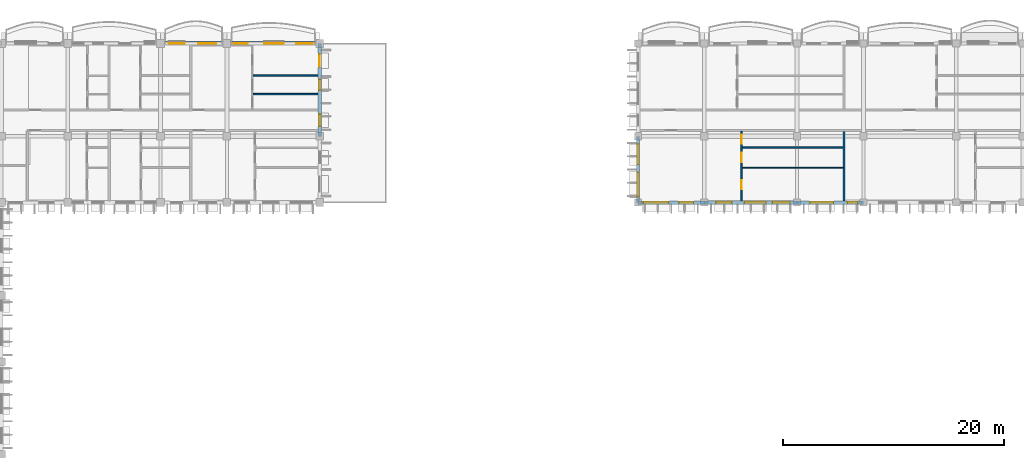
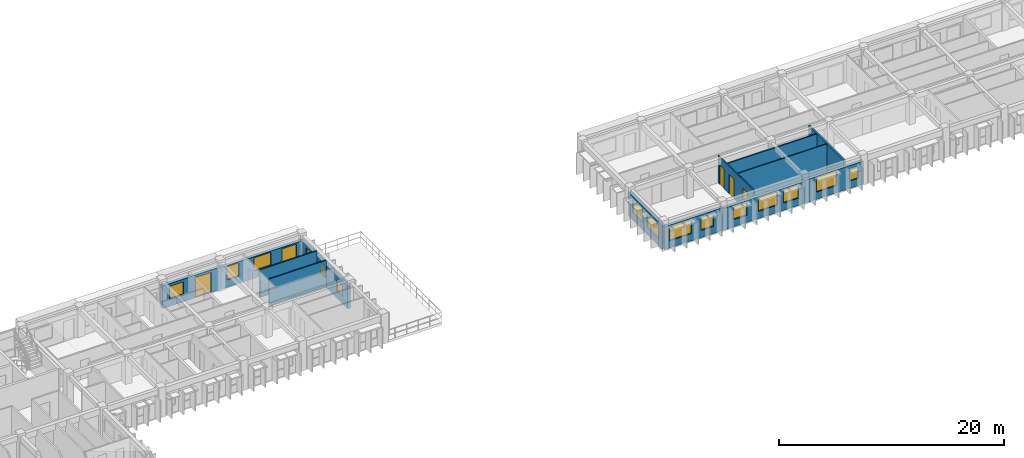
# One storey, part 24 of 66: 14 windows, 13 walls, 6 doors, 20 openings.
"""IFC4 building model written with IfcOpenShell, lengths in metres."""

from ifc_helpers import new_model, si_unit, direction, frame, frame_2d, origin, place, context, subcontext, project, spatial, rectangle, extrude, material, layer, layer_set, type_object, element, fill, save


model = new_model("IFC4")

# Units and contexts
model_context = context("Model", 3, precision=1e-05, world=origin(), true_north=direction((0.0, 1.0)))
body_context = subcontext(model_context, "Body", "Model", "MODEL_VIEW")
ifc_project = project(units=[si_unit("LENGTHUNIT", "METRE"), si_unit("AREAUNIT", "SQUARE_METRE"), si_unit("VOLUMEUNIT", "CUBIC_METRE"), si_unit("PLANEANGLEUNIT", "RADIAN"), si_unit("MASSUNIT", "GRAM", prefix="KILO"), si_unit("THERMODYNAMICTEMPERATUREUNIT", "KELVIN")], contexts=[model_context])

# Site, building, storey
site_placement = place(None, origin())
site = spatial("IfcSite", under=ifc_project, at=site_placement, CompositionType="ELEMENT")
building_placement = place(site_placement, origin())
building = spatial("IfcBuilding", under=site, at=building_placement, Name="Thalorik Housing Commons", CompositionType="ELEMENT")
storey_placement = place(building_placement, frame((0.0, 0.0, 21.300048828125)))
storey = spatial("IfcBuildingStorey", under=building, at=storey_placement, Name="L06", CompositionType="ELEMENT", Elevation=21.300048828125)

# Wall, openings, windows
ifc_material_1 = material(Name="White precast concrete C40/50", Category="concrete")
ifc_layer_1 = layer(ifc_material_1, 0.304931640625, Name="White precast concrete C40/50", Category="concrete")
ifc_layer_set_1 = layer_set([ifc_layer_1], Name="White precast concrete C40/50")
wall_type_1 = type_object("IfcWallType", Name="ARC-WAL-EXT-305", PredefinedType="STANDARD", material=ifc_layer_set_1)
wall_1_placement = place(storey_placement, frame((80.39990234375, 115.199951171875, 0.0), z_axis=(0.0, 0.0, 1.0), x_axis=(0.0, -1.0, 0.0)))
wall_1 = element("IfcWall", 1, at=wall_1_placement, inside=storey, type_object=wall_type_1, Name="L06 Exterior Wall WAL-EXT-L06-B-0613", PredefinedType="STANDARD", context=body_context, shape_type="SweptSolid", body=[
    extrude(rectangle(XDim=6.0, YDim=0.304931640625, at=frame_2d((3.0, 0.0))), origin(), (0.0, 0.0, 1.0), 2.574951171875),
])
opening_1_placement = place(wall_1_placement, frame((0.719970703125, 0.0, 0.780029296875)))
opening_1 = element("IfcOpeningElement", 2, at=opening_1_placement, cuts=wall_1, Name="Opening W-58", PredefinedType="OPENING", context=body_context, shape_type="SweptSolid", body=[
    extrude(rectangle(XDim=1.820068359375, YDim=1.4599609375, at=frame_2d((0.91015625, 0.72998046875))), frame((0.0, 0.16259765625, 0.0), z_axis=(0.0, -1.0, 0.0), x_axis=(1.0, 0.0, 0.0)), (0.0, 0.0, 1.0), 0.324951171875),
])
opening_2_placement = place(wall_1_placement, frame((3.280029296875, 0.0, 0.780029296875)))
opening_2 = element("IfcOpeningElement", 3, at=opening_2_placement, cuts=wall_1, Name="Opening W-65", PredefinedType="OPENING", context=body_context, shape_type="SweptSolid", body=[
    extrude(rectangle(XDim=2.179931640625, YDim=1.47998046875, at=frame_2d((1.08984375, 0.739990234375))), frame((0.0, 0.16259765625, 0.0), z_axis=(0.0, -1.0, 0.0), x_axis=(1.0, 0.0, 0.0)), (0.0, 0.0, 1.0), 0.324951171875),
])
ifc_material_2 = material(Name="Anodised aluminium and solar-control low-E glass", Category="aluminium")
window_type_1 = type_object("IfcWindowType", Name="ARC-WIN-58", PartitioningType="DOUBLE_PANEL_VERTICAL", PredefinedType="WINDOW", material=ifc_material_2)
window_1_placement = place(opening_1_placement, origin())
window_1 = element("IfcWindow", 4, at=window_1_placement, inside=storey, type_object=window_type_1, Name="L06 Facade Window 1111", OverallHeight=1.4599609375, OverallWidth=1.820068359375, PartitioningType="DOUBLE_PANEL_VERTICAL", PredefinedType="WINDOW", context=body_context, shape_type="SweptSolid", body=[
    extrude(rectangle(XDim=1.820068359375, YDim=1.4599609375, at=frame_2d((0.91015625, 0.72998046875))), frame((0.0, 0.030029296875, 0.0), z_axis=(0.0, -1.0, 0.0), x_axis=(1.0, 0.0, 0.0)), (0.0, 0.0, 1.0), 0.06005859375),
])
fill(opening_1, window_1)
window_type_2 = type_object("IfcWindowType", Name="ARC-WIN-65", PartitioningType="DOUBLE_PANEL_VERTICAL", PredefinedType="WINDOW", material=ifc_material_2)
window_2_placement = place(opening_2_placement, origin())
window_2 = element("IfcWindow", 5, at=window_2_placement, inside=storey, type_object=window_type_2, Name="L06 Facade Window 1112", OverallHeight=1.47998046875, OverallWidth=2.179931640625, PartitioningType="DOUBLE_PANEL_VERTICAL", PredefinedType="WINDOW", context=body_context, shape_type="SweptSolid", body=[
    extrude(rectangle(XDim=2.179931640625, YDim=1.47998046875, at=frame_2d((1.08984375, 0.739990234375))), frame((0.0, 0.030029296875, 0.0), z_axis=(0.0, -1.0, 0.0), x_axis=(1.0, 0.0, 0.0)), (0.0, 0.0, 1.0), 0.06005859375),
])
fill(opening_2, window_2)

wall_2_placement = place(storey_placement, frame((80.39990234375, 109.199951171875, 0.0), z_axis=(0.0, 0.0, 1.0), x_axis=(1.0, 0.0, 0.0)))
wall_2 = element("IfcWall", 6, at=wall_2_placement, inside=storey, type_object=wall_type_1, Name="L06 Exterior Wall WAL-EXT-L06-B-0614", PredefinedType="STANDARD", context=body_context, shape_type="SweptSolid", body=[
    extrude(rectangle(XDim=6.0, YDim=0.304931640625, at=frame_2d((3.0, 0.0))), origin(), (0.0, 0.0, 1.0), 2.474853515625),
])
opening_3_placement = place(wall_2_placement, frame((0.489990234375, 0.0, 0.780029296875)))
opening_3 = element("IfcOpeningElement", 7, at=opening_3_placement, cuts=wall_2, Name="Opening W-67", PredefinedType="OPENING", context=body_context, shape_type="SweptSolid", body=[
    extrude(rectangle(XDim=2.280029296875, YDim=1.4599609375, at=frame_2d((1.14013671875, 0.72998046875))), frame((0.0, 0.16259765625, 0.0), z_axis=(0.0, -1.0, 0.0), x_axis=(1.0, 0.0, 0.0)), (0.0, 0.0, 1.0), 0.324951171875),
])
opening_4_placement = place(wall_2_placement, frame((3.719970703125, 0.0, 0.780029296875)))
opening_4 = element("IfcOpeningElement", 8, at=opening_4_placement, cuts=wall_2, Name="Opening W-06", PredefinedType="OPENING", context=body_context, shape_type="SweptSolid", body=[
    extrude(rectangle(XDim=1.300048828125, YDim=1.39990234375, at=frame_2d((0.64990234375, 0.699951171875))), frame((0.0, 0.16259765625, 0.0), z_axis=(0.0, -1.0, 0.0), x_axis=(1.0, 0.0, 0.0)), (0.0, 0.0, 1.0), 0.324951171875),
])
window_type_3 = type_object("IfcWindowType", Name="ARC-WIN-06", PartitioningType="SINGLE_PANEL", PredefinedType="WINDOW", material=ifc_material_2)
window_3_placement = place(opening_4_placement, origin())
window_3 = element("IfcWindow", 9, at=window_3_placement, inside=storey, type_object=window_type_3, Name="L06 Facade Window 1114", OverallHeight=1.39990234375, OverallWidth=1.300048828125, PartitioningType="SINGLE_PANEL", PredefinedType="WINDOW", context=body_context, shape_type="SweptSolid", body=[
    extrude(rectangle(XDim=1.300048828125, YDim=1.39990234375, at=frame_2d((0.64990234375, 0.699951171875))), frame((0.0, 0.030029296875, 0.0), z_axis=(0.0, -1.0, 0.0), x_axis=(1.0, 0.0, 0.0)), (0.0, 0.0, 1.0), 0.06005859375),
])
fill(opening_4, window_3)
window_type_4 = type_object("IfcWindowType", Name="ARC-WIN-67", PartitioningType="DOUBLE_PANEL_VERTICAL", PredefinedType="WINDOW", material=ifc_material_2)
window_4_placement = place(opening_3_placement, origin())
window_4 = element("IfcWindow", 10, at=window_4_placement, inside=storey, type_object=window_type_4, Name="L06 Facade Window 1113", OverallHeight=1.4599609375, OverallWidth=2.280029296875, PartitioningType="DOUBLE_PANEL_VERTICAL", PredefinedType="WINDOW", context=body_context, shape_type="SweptSolid", body=[
    extrude(rectangle(XDim=2.280029296875, YDim=1.4599609375, at=frame_2d((1.14013671875, 0.72998046875))), frame((0.0, 0.030029296875, 0.0), z_axis=(0.0, -1.0, 0.0), x_axis=(1.0, 0.0, 0.0)), (0.0, 0.0, 1.0), 0.06005859375),
])
fill(opening_3, window_4)

wall_3_placement = place(storey_placement, frame((86.39990234375, 109.199951171875, 0.0), z_axis=(0.0, 0.0, 1.0), x_axis=(1.0, 0.0, 0.0)))
wall_3 = element("IfcWall", 11, at=wall_3_placement, inside=storey, type_object=wall_type_1, Name="L06 Exterior Wall WAL-EXT-L06-B-0615", PredefinedType="STANDARD", context=body_context, shape_type="SweptSolid", body=[
    extrude(rectangle(XDim=8.400146484375, YDim=0.304931640625, at=frame_2d((4.2001953125, 0.0))), origin(), (0.0, 0.0, 1.0), 2.375),
])
opening_5_placement = place(wall_3_placement, frame((1.0625, 0.0, 0.780029296875)))
opening_5 = element("IfcOpeningElement", 12, at=opening_5_placement, cuts=wall_3, Name="Opening W-50", PredefinedType="OPENING", context=body_context, shape_type="SweptSolid", body=[
    extrude(rectangle(XDim=1.419921875, YDim=1.3798828125, at=frame_2d((0.7099609375, 0.68994140625))), frame((0.0, 0.16259765625, 0.0), z_axis=(0.0, -1.0, 0.0), x_axis=(1.0, 0.0, 0.0)), (0.0, 0.0, 1.0), 0.324951171875),
])
opening_6_placement = place(wall_3_placement, frame((3.643798828125, 0.0, 0.780029296875)))
opening_6 = element("IfcOpeningElement", 13, at=opening_6_placement, cuts=wall_3, Name="Opening W-60", PredefinedType="OPENING", context=body_context, shape_type="SweptSolid", body=[
    extrude(rectangle(XDim=1.919921875, YDim=1.43994140625, at=frame_2d((0.9599609375, 0.719970703125))), frame((0.0, 0.16259765625, 0.0), z_axis=(0.0, -1.0, 0.0), x_axis=(1.0, 0.0, 0.0)), (0.0, 0.0, 1.0), 0.324951171875),
])
opening_7_placement = place(wall_3_placement, frame((6.186279296875, 0.0, 0.780029296875)))
opening_7 = element("IfcOpeningElement", 14, at=opening_7_placement, cuts=wall_3, Name="Opening W-12", PredefinedType="OPENING", context=body_context, shape_type="SweptSolid", body=[
    extrude(rectangle(XDim=1.550048828125, YDim=1.39990234375, at=frame_2d((0.77490234375, 0.699951171875))), frame((0.0, 0.16259765625, 0.0), z_axis=(0.0, -1.0, 0.0), x_axis=(1.0, 0.0, 0.0)), (0.0, 0.0, 1.0), 0.324951171875),
])
window_type_5 = type_object("IfcWindowType", Name="ARC-WIN-12", PartitioningType="SINGLE_PANEL", PredefinedType="WINDOW", material=ifc_material_2)
window_5_placement = place(opening_7_placement, origin())
window_5 = element("IfcWindow", 15, at=window_5_placement, inside=storey, type_object=window_type_5, Name="L06 Facade Window 1117", OverallHeight=1.39990234375, OverallWidth=1.550048828125, PartitioningType="SINGLE_PANEL", PredefinedType="WINDOW", context=body_context, shape_type="SweptSolid", body=[
    extrude(rectangle(XDim=1.550048828125, YDim=1.39990234375, at=frame_2d((0.77490234375, 0.699951171875))), frame((0.0, 0.030029296875, 0.0), z_axis=(0.0, -1.0, 0.0), x_axis=(1.0, 0.0, 0.0)), (0.0, 0.0, 1.0), 0.06005859375),
])
fill(opening_7, window_5)
window_type_6 = type_object("IfcWindowType", Name="ARC-WIN-50", PartitioningType="SINGLE_PANEL", PredefinedType="WINDOW", material=ifc_material_2)
window_6_placement = place(opening_5_placement, origin())
window_6 = element("IfcWindow", 16, at=window_6_placement, inside=storey, type_object=window_type_6, Name="L06 Facade Window 1115", OverallHeight=1.3798828125, OverallWidth=1.419921875, PartitioningType="SINGLE_PANEL", PredefinedType="WINDOW", context=body_context, shape_type="SweptSolid", body=[
    extrude(rectangle(XDim=1.419921875, YDim=1.3798828125, at=frame_2d((0.7099609375, 0.68994140625))), frame((0.0, 0.030029296875, 0.0), z_axis=(0.0, -1.0, 0.0), x_axis=(1.0, 0.0, 0.0)), (0.0, 0.0, 1.0), 0.06005859375),
])
fill(opening_5, window_6)
window_type_7 = type_object("IfcWindowType", Name="ARC-WIN-60", PartitioningType="DOUBLE_PANEL_VERTICAL", PredefinedType="WINDOW", material=ifc_material_2)
window_7_placement = place(opening_6_placement, origin())
window_7 = element("IfcWindow", 17, at=window_7_placement, inside=storey, type_object=window_type_7, Name="L06 Facade Window 1116", OverallHeight=1.43994140625, OverallWidth=1.919921875, PartitioningType="DOUBLE_PANEL_VERTICAL", PredefinedType="WINDOW", context=body_context, shape_type="SweptSolid", body=[
    extrude(rectangle(XDim=1.919921875, YDim=1.43994140625, at=frame_2d((0.9599609375, 0.719970703125))), frame((0.0, 0.030029296875, 0.0), z_axis=(0.0, -1.0, 0.0), x_axis=(1.0, 0.0, 0.0)), (0.0, 0.0, 1.0), 0.06005859375),
])
fill(opening_6, window_7)

wall_4_placement = place(storey_placement, frame((94.800048828125, 109.199951171875, 0.0), z_axis=(0.0, 0.0, 1.0), x_axis=(1.0, 0.0, 0.0)))
wall_4 = element("IfcWall", 18, at=wall_4_placement, inside=storey, type_object=wall_type_1, Name="L06 Exterior Wall WAL-EXT-L06-B-0616", PredefinedType="STANDARD", context=body_context, shape_type="SweptSolid", body=[
    extrude(rectangle(XDim=6.0, YDim=0.304931640625, at=frame_2d((3.0, 0.0))), origin(), (0.0, 0.0, 1.0), 2.474853515625),
])
opening_8_placement = place(wall_4_placement, frame((1.169921875, 0.0, 0.780029296875)))
opening_8 = element("IfcOpeningElement", 19, at=opening_8_placement, cuts=wall_4, Name="Opening W-26", PredefinedType="OPENING", context=body_context, shape_type="SweptSolid", body=[
    extrude(rectangle(XDim=2.10009765625, YDim=1.550048828125, at=frame_2d((1.050048828125, 0.77490234375))), frame((0.0, 0.16259765625, 0.0), z_axis=(0.0, -1.0, 0.0), x_axis=(1.0, 0.0, 0.0)), (0.0, 0.0, 1.0), 0.324951171875),
])
opening_9_placement = place(wall_4_placement, frame((4.580078125, 0.0, 0.780029296875)))
opening_9 = element("IfcOpeningElement", 20, at=opening_9_placement, cuts=wall_4, Name="Opening W-01", PredefinedType="OPENING", context=body_context, shape_type="SweptSolid", body=[
    extrude(rectangle(XDim=0.89990234375, YDim=1.199951171875, at=frame_2d((0.449951171875, 0.60009765625))), frame((0.0, 0.16259765625, 0.0), z_axis=(0.0, -1.0, 0.0), x_axis=(1.0, 0.0, 0.0)), (0.0, 0.0, 1.0), 0.324951171875),
])
window_type_8 = type_object("IfcWindowType", Name="ARC-WIN-01", PartitioningType="SINGLE_PANEL", PredefinedType="WINDOW", material=ifc_material_2)
window_8_placement = place(opening_9_placement, origin())
window_8 = element("IfcWindow", 21, at=window_8_placement, inside=storey, type_object=window_type_8, Name="L06 Facade Window 1119", OverallHeight=1.199951171875, OverallWidth=0.89990234375, PartitioningType="SINGLE_PANEL", PredefinedType="WINDOW", context=body_context, shape_type="SweptSolid", body=[
    extrude(rectangle(XDim=0.89990234375, YDim=1.199951171875, at=frame_2d((0.449951171875, 0.60009765625))), frame((0.0, 0.030029296875, 0.0), z_axis=(0.0, -1.0, 0.0), x_axis=(1.0, 0.0, 0.0)), (0.0, 0.0, 1.0), 0.06005859375),
])
fill(opening_9, window_8)
window_type_9 = type_object("IfcWindowType", Name="ARC-WIN-26", PartitioningType="DOUBLE_PANEL_VERTICAL", PredefinedType="WINDOW", material=ifc_material_2)
window_9_placement = place(opening_8_placement, origin())
window_9 = element("IfcWindow", 22, at=window_9_placement, inside=storey, type_object=window_type_9, Name="L06 Facade Window 1118", OverallHeight=1.550048828125, OverallWidth=2.10009765625, PartitioningType="DOUBLE_PANEL_VERTICAL", PredefinedType="WINDOW", context=body_context, shape_type="SweptSolid", body=[
    extrude(rectangle(XDim=2.10009765625, YDim=1.550048828125, at=frame_2d((1.050048828125, 0.77490234375))), frame((0.0, 0.030029296875, 0.0), z_axis=(0.0, -1.0, 0.0), x_axis=(1.0, 0.0, 0.0)), (0.0, 0.0, 1.0), 0.06005859375),
])
fill(opening_8, window_9)

# Wall, openings, door, windows
ifc_layer_2 = layer(ifc_material_1, 0.320068359375, Name="White precast concrete C40/50", Category="concrete")
ifc_layer_set_2 = layer_set([ifc_layer_2], Name="White precast concrete C40/50")
wall_type_2 = type_object("IfcWallType", Name="ARC-WAL-EXT-320", PredefinedType="STANDARD", material=ifc_layer_set_2)
wall_5_placement = place(storey_placement, frame((51.60009765625, 115.199951171875, 0.0), z_axis=(0.0, 0.0, 1.0), x_axis=(0.0, 1.0, 0.0)))
wall_5 = element("IfcWall", 23, at=wall_5_placement, inside=storey, type_object=wall_type_2, Name="L06 Exterior Wall WAL-EXT-L06-A-0174", PredefinedType="STANDARD", context=body_context, shape_type="SweptSolid", body=[
    extrude(rectangle(XDim=8.400146484375, YDim=0.320068359375, at=frame_2d((4.2001953125, 0.0))), origin(), (0.0, 0.0, 1.0), 2.425048828125),
])
opening_10_placement = place(wall_5_placement, frame((6.26953125, 0.0, 0.0)))
opening_10 = element("IfcOpeningElement", 24, at=opening_10_placement, cuts=wall_5, Name="Opening ED-0051", PredefinedType="OPENING", context=body_context, shape_type="SweptSolid", body=[
    extrude(rectangle(XDim=1.14990234375, YDim=2.14990234375, at=frame_2d((0.574951171875, 1.074951171875))), frame((0.0, 0.169921875, 0.0), z_axis=(0.0, -1.0, 0.0), x_axis=(1.0, 0.0, 0.0)), (0.0, 0.0, 1.0), 0.340087890625),
])
opening_11_placement = place(wall_5_placement, frame((0.925048828125, 0.0, 0.780029296875)))
opening_11 = element("IfcOpeningElement", 25, at=opening_11_placement, cuts=wall_5, Name="Opening W-44", PredefinedType="OPENING", context=body_context, shape_type="SweptSolid", body=[
    extrude(rectangle(XDim=1.050048828125, YDim=1.199951171875, at=frame_2d((0.52490234375, 0.60009765625))), frame((0.0, 0.169921875, 0.0), z_axis=(0.0, -1.0, 0.0), x_axis=(1.0, 0.0, 0.0)), (0.0, 0.0, 1.0), 0.340087890625),
])
opening_12_placement = place(wall_5_placement, frame((4.169921875, 0.0, 0.780029296875)))
opening_12 = element("IfcOpeningElement", 26, at=opening_12_placement, cuts=wall_5, Name="Opening W-43", PredefinedType="OPENING", context=body_context, shape_type="SweptSolid", body=[
    extrude(rectangle(XDim=0.949951171875, YDim=1.14990234375, at=frame_2d((0.47509765625, 0.574951171875))), frame((0.0, 0.169921875, 0.0), z_axis=(0.0, -1.0, 0.0), x_axis=(1.0, 0.0, 0.0)), (0.0, 0.0, 1.0), 0.340087890625),
])
ifc_material_3 = material(Name="Anodised aluminium and laminated safety glass", Category="aluminium")
door_type_1 = type_object("IfcDoorType", Name="ARC-DR-TERR-1150", OperationType="NOTDEFINED", PredefinedType="DOOR", material=ifc_material_3)
door_1_placement = place(opening_10_placement, frame((1.14990234375, 0.0, 0.0), z_axis=(0.0, 0.0, 1.0), x_axis=(-1.0, 0.0, 0.0)))
door_1 = element("IfcDoor", 27, at=door_1_placement, inside=storey, type_object=door_type_1, Name="L06 Block A L06 East Sky-Garden Terrace Access Door", OperationType="SINGLE_SWING_RIGHT", OverallHeight=2.14990234375, OverallWidth=1.14990234375, PredefinedType="DOOR", context=body_context, shape_type="SweptSolid", body=[
    extrude(rectangle(XDim=1.14990234375, YDim=2.14990234375, at=frame_2d((0.574951171875, 1.074951171875))), frame((0.0, 0.02490234375, 0.0), z_axis=(0.0, -1.0, 0.0), x_axis=(1.0, 0.0, 0.0)), (0.0, 0.0, 1.0), 0.050048828125),
])
fill(opening_10, door_1)
window_type_10 = type_object("IfcWindowType", Name="ARC-WIN-43", PartitioningType="SINGLE_PANEL", PredefinedType="WINDOW", material=ifc_material_2)
window_10_placement = place(opening_12_placement, origin())
window_10 = element("IfcWindow", 28, at=window_10_placement, inside=storey, type_object=window_type_10, Name="L06 Facade Window 314", OverallHeight=1.14990234375, OverallWidth=0.949951171875, PartitioningType="SINGLE_PANEL", PredefinedType="WINDOW", context=body_context, shape_type="SweptSolid", body=[
    extrude(rectangle(XDim=0.949951171875, YDim=1.14990234375, at=frame_2d((0.47509765625, 0.574951171875))), frame((0.0, 0.030029296875, 0.0), z_axis=(0.0, -1.0, 0.0), x_axis=(1.0, 0.0, 0.0)), (0.0, 0.0, 1.0), 0.06005859375),
])
fill(opening_12, window_10)
window_type_11 = type_object("IfcWindowType", Name="ARC-WIN-44", PartitioningType="SINGLE_PANEL", PredefinedType="WINDOW", material=ifc_material_2)
window_11_placement = place(opening_11_placement, origin())
window_11 = element("IfcWindow", 29, at=window_11_placement, inside=storey, type_object=window_type_11, Name="L06 Facade Window 313", OverallHeight=1.199951171875, OverallWidth=1.050048828125, PartitioningType="SINGLE_PANEL", PredefinedType="WINDOW", context=body_context, shape_type="SweptSolid", body=[
    extrude(rectangle(XDim=1.050048828125, YDim=1.199951171875, at=frame_2d((0.52490234375, 0.60009765625))), frame((0.0, 0.030029296875, 0.0), z_axis=(0.0, -1.0, 0.0), x_axis=(1.0, 0.0, 0.0)), (0.0, 0.0, 1.0), 0.06005859375),
])
fill(opening_11, window_11)

wall_6_placement = place(storey_placement, frame((51.60009765625, 123.60009765625, 0.0), z_axis=(0.0, 0.0, 1.0), x_axis=(-1.0, 0.0, 0.0)))
wall_6 = element("IfcWall", 30, at=wall_6_placement, inside=storey, type_object=wall_type_2, Name="L06 Exterior Wall WAL-EXT-L06-A-0175", PredefinedType="STANDARD", context=body_context, shape_type="SweptSolid", body=[
    extrude(rectangle(XDim=8.400146484375, YDim=0.320068359375, at=frame_2d((4.2001953125, 0.0))), origin(), (0.0, 0.0, 1.0), 2.344970703125),
])
opening_13_placement = place(wall_6_placement, frame((0.6201171875, 0.0, 0.0)))
opening_13 = element("IfcOpeningElement", 31, at=opening_13_placement, cuts=wall_6, Name="Opening ED-0052", PredefinedType="OPENING", context=body_context, shape_type="SweptSolid", body=[
    extrude(rectangle(XDim=1.5, YDim=2.199951171875, at=frame_2d((0.75, 1.10009765625))), frame((0.0, 0.169921875, 0.0), z_axis=(0.0, -1.0, 0.0), x_axis=(1.0, 0.0, 0.0)), (0.0, 0.0, 1.0), 0.340087890625),
])
opening_14_placement = place(wall_6_placement, frame((3.258544921875, 0.0, 0.780029296875)))
opening_14 = element("IfcOpeningElement", 32, at=opening_14_placement, cuts=wall_6, Name="Opening W-17", PredefinedType="OPENING", context=body_context, shape_type="SweptSolid", body=[
    extrude(rectangle(XDim=1.75, YDim=1.449951171875, at=frame_2d((0.875, 0.72509765625))), frame((0.0, 0.169921875, 0.0), z_axis=(0.0, -1.0, 0.0), x_axis=(1.0, 0.0, 0.0)), (0.0, 0.0, 1.0), 0.340087890625),
])
opening_15_placement = place(wall_6_placement, frame((6.528564453125, 0.0, 0.780029296875)))
opening_15 = element("IfcOpeningElement", 33, at=opening_15_placement, cuts=wall_6, Name="Opening W-47", PredefinedType="OPENING", context=body_context, shape_type="SweptSolid", body=[
    extrude(rectangle(XDim=1.25, YDim=1.449951171875, at=frame_2d((0.625, 0.72509765625))), frame((0.0, 0.169921875, 0.0), z_axis=(0.0, -1.0, 0.0), x_axis=(1.0, 0.0, 0.0)), (0.0, 0.0, 1.0), 0.340087890625),
])
door_type_2 = type_object("IfcDoorType", Name="ARC-DR-BAL-1500", OperationType="NOTDEFINED", PredefinedType="DOOR", material=ifc_material_3)
door_2_placement = place(opening_13_placement, frame((1.5, 0.0, 0.0), z_axis=(0.0, 0.0, 1.0), x_axis=(-1.0, 0.0, 0.0)))
door_2 = element("IfcDoor", 34, at=door_2_placement, inside=storey, type_object=door_type_2, Name="L06 Block A Balcony Glazed Door", OperationType="SLIDING_TO_RIGHT", OverallHeight=2.199951171875, OverallWidth=1.5, PredefinedType="DOOR", context=body_context, shape_type="SweptSolid", body=[
    extrude(rectangle(XDim=1.5, YDim=2.199951171875, at=frame_2d((0.75, 1.10009765625))), frame((0.0, 0.02490234375, 0.0), z_axis=(0.0, -1.0, 0.0), x_axis=(1.0, 0.0, 0.0)), (0.0, 0.0, 1.0), 0.050048828125),
])
fill(opening_13, door_2)
window_type_12 = type_object("IfcWindowType", Name="ARC-WIN-17", PartitioningType="DOUBLE_PANEL_VERTICAL", PredefinedType="WINDOW", material=ifc_material_2)
window_12_placement = place(opening_14_placement, origin())
window_12 = element("IfcWindow", 35, at=window_12_placement, inside=storey, type_object=window_type_12, Name="L06 Facade Window 315", OverallHeight=1.449951171875, OverallWidth=1.75, PartitioningType="DOUBLE_PANEL_VERTICAL", PredefinedType="WINDOW", context=body_context, shape_type="SweptSolid", body=[
    extrude(rectangle(XDim=1.75, YDim=1.449951171875, at=frame_2d((0.875, 0.72509765625))), frame((0.0, 0.030029296875, 0.0), z_axis=(0.0, -1.0, 0.0), x_axis=(1.0, 0.0, 0.0)), (0.0, 0.0, 1.0), 0.06005859375),
])
fill(opening_14, window_12)
window_type_13 = type_object("IfcWindowType", Name="ARC-WIN-47", PartitioningType="SINGLE_PANEL", PredefinedType="WINDOW", material=ifc_material_2)
window_13_placement = place(opening_15_placement, origin())
window_13 = element("IfcWindow", 36, at=window_13_placement, inside=storey, type_object=window_type_13, Name="L06 Facade Window 316", OverallHeight=1.449951171875, OverallWidth=1.25, PartitioningType="SINGLE_PANEL", PredefinedType="WINDOW", context=body_context, shape_type="SweptSolid", body=[
    extrude(rectangle(XDim=1.25, YDim=1.449951171875, at=frame_2d((0.625, 0.72509765625))), frame((0.0, 0.030029296875, 0.0), z_axis=(0.0, -1.0, 0.0), x_axis=(1.0, 0.0, 0.0)), (0.0, 0.0, 1.0), 0.06005859375),
])
fill(opening_15, window_13)

# Wall, openings, door, window
wall_7_placement = place(storey_placement, frame((43.199951171875, 123.60009765625, 0.0), z_axis=(0.0, 0.0, 1.0), x_axis=(-1.0, 0.0, 0.0)))
wall_7 = element("IfcWall", 37, at=wall_7_placement, inside=storey, type_object=wall_type_2, Name="L06 Exterior Wall WAL-EXT-L06-A-0176", PredefinedType="STANDARD", context=body_context, shape_type="SweptSolid", body=[
    extrude(rectangle(XDim=6.0, YDim=0.320068359375, at=frame_2d((3.0, 0.0))), origin(), (0.0, 0.0, 1.0), 2.445068359375),
])
opening_16_placement = place(wall_7_placement, frame((0.97998046875, 0.0, 0.0)))
opening_16 = element("IfcOpeningElement", 38, at=opening_16_placement, cuts=wall_7, Name="Opening ED-0053", PredefinedType="OPENING", context=body_context, shape_type="SweptSolid", body=[
    extrude(rectangle(XDim=1.60009765625, YDim=2.199951171875, at=frame_2d((0.800048828125, 1.10009765625))), frame((0.0, 0.169921875, 0.0), z_axis=(0.0, -1.0, 0.0), x_axis=(1.0, 0.0, 0.0)), (0.0, 0.0, 1.0), 0.340087890625),
])
opening_17_placement = place(wall_7_placement, frame((3.830078125, 0.0, 0.780029296875)))
opening_17 = element("IfcOpeningElement", 39, at=opening_17_placement, cuts=wall_7, Name="Opening W-50", PredefinedType="OPENING", context=body_context, shape_type="SweptSolid", body=[
    extrude(rectangle(XDim=1.419921875, YDim=1.3798828125, at=frame_2d((0.7099609375, 0.68994140625))), frame((0.0, 0.169921875, 0.0), z_axis=(0.0, -1.0, 0.0), x_axis=(1.0, 0.0, 0.0)), (0.0, 0.0, 1.0), 0.340087890625),
])
door_type_3 = type_object("IfcDoorType", Name="ARC-DR-BAL-1600", OperationType="NOTDEFINED", PredefinedType="DOOR", material=ifc_material_3)
door_3_placement = place(opening_16_placement, frame((1.60009765625, 0.0, 0.0), z_axis=(0.0, 0.0, 1.0), x_axis=(-1.0, 0.0, 0.0)))
door_3 = element("IfcDoor", 40, at=door_3_placement, inside=storey, type_object=door_type_3, Name="L06 Block A Balcony Glazed Door", OperationType="SLIDING_TO_LEFT", OverallHeight=2.199951171875, OverallWidth=1.60009765625, PredefinedType="DOOR", context=body_context, shape_type="SweptSolid", body=[
    extrude(rectangle(XDim=1.60009765625, YDim=2.199951171875, at=frame_2d((0.800048828125, 1.10009765625))), frame((0.0, 0.02490234375, 0.0), z_axis=(0.0, -1.0, 0.0), x_axis=(1.0, 0.0, 0.0)), (0.0, 0.0, 1.0), 0.050048828125),
])
fill(opening_16, door_3)
window_14_placement = place(opening_17_placement, origin())
window_14 = element("IfcWindow", 41, at=window_14_placement, inside=storey, type_object=window_type_6, Name="L06 Facade Window 317", OverallHeight=1.3798828125, OverallWidth=1.419921875, PartitioningType="SINGLE_PANEL", PredefinedType="WINDOW", context=body_context, shape_type="SweptSolid", body=[
    extrude(rectangle(XDim=1.419921875, YDim=1.3798828125, at=frame_2d((0.7099609375, 0.68994140625))), frame((0.0, 0.030029296875, 0.0), z_axis=(0.0, -1.0, 0.0), x_axis=(1.0, 0.0, 0.0)), (0.0, 0.0, 1.0), 0.06005859375),
])
fill(opening_17, window_14)

# Wall
ifc_material_4 = material(Name="Gypsum light stud partition", Category="masonry")
ifc_layer_3 = layer(ifc_material_4, 0.10009765625, Name="Gypsum light stud partition", Category="masonry")
ifc_layer_set_3 = layer_set([ifc_layer_3], Name="Gypsum light stud partition")
wall_type_3 = type_object("IfcWallType", Name="ARC-WAL-PART-100", PredefinedType="PARTITIONING", material=ifc_layer_set_3)
wall_8_placement = place(storey_placement, frame((89.814453125, 112.36083984375, 0.0), z_axis=(0.0, 0.0, 1.0), x_axis=(1.0, 0.0, 0.0)))
element("IfcWall", 42, at=wall_8_placement, inside=storey, type_object=wall_type_3, Name="L06 Unit 1 Bedroom Partition", PredefinedType="PARTITIONING", context=body_context, shape_type="SweptSolid", body=[
    extrude(rectangle(XDim=9.14111328125, YDim=0.10009765625, at=frame_2d((4.570556640625, 0.0))), origin(), (0.0, 0.0, 1.0), 3.0),
])

# Wall, openings, doors
ifc_material_5 = material(Name="Gypsum moisture-resistant partition", Category="masonry")
ifc_layer_4 = layer(ifc_material_5, 0.114990234375, Name="Gypsum moisture-resistant partition", Category="masonry")
ifc_layer_set_4 = layer_set([ifc_layer_4], Name="Gypsum moisture-resistant partition")
wall_type_4 = type_object("IfcWallType", Name="ARC-WAL-PART-115", PredefinedType="PARTITIONING", material=ifc_layer_set_4)
wall_9_placement = place(storey_placement, frame((89.7548828125, 109.3544921875, 0.0), z_axis=(0.0, 0.0, 1.0), x_axis=(0.0, 1.0, 0.0)))
wall_9 = element("IfcWall", 43, at=wall_9_placement, inside=storey, type_object=wall_type_4, Name="L06 Unit 1 Spine Partition", PredefinedType="PARTITIONING", context=body_context, shape_type="SweptSolid", body=[
    extrude(rectangle(XDim=6.281005859375, YDim=0.114990234375, at=frame_2d((3.140625, 0.0))), origin(), (0.0, 0.0, 1.0), 3.0),
])
opening_18_placement = place(wall_9_placement, frame((1.031005859375, 0.0, 0.0)))
opening_18 = element("IfcOpeningElement", 44, at=opening_18_placement, cuts=wall_9, Name="Opening ID-1221", PredefinedType="OPENING", context=body_context, shape_type="SweptSolid", body=[
    extrude(rectangle(XDim=0.85009765625, YDim=2.10009765625, at=frame_2d((0.425048828125, 1.050048828125))), frame((0.0, 0.0673828125, 0.0), z_axis=(0.0, -1.0, 0.0), x_axis=(1.0, 0.0, 0.0)), (0.0, 0.0, 1.0), 0.135009765625),
])
opening_19_placement = place(wall_9_placement, frame((3.485595703125, 0.0, 0.0)))
opening_19 = element("IfcOpeningElement", 45, at=opening_19_placement, cuts=wall_9, Name="Opening ID-1222", PredefinedType="OPENING", context=body_context, shape_type="SweptSolid", body=[
    extrude(rectangle(XDim=0.85009765625, YDim=2.10009765625, at=frame_2d((0.425048828125, 1.050048828125))), frame((0.0, 0.0673828125, 0.0), z_axis=(0.0, -1.0, 0.0), x_axis=(1.0, 0.0, 0.0)), (0.0, 0.0, 1.0), 0.135009765625),
])
opening_20_placement = place(wall_9_placement, frame((5.190185546875, 0.0, 0.0)))
opening_20 = element("IfcOpeningElement", 46, at=opening_20_placement, cuts=wall_9, Name="Opening ID-1223", PredefinedType="OPENING", context=body_context, shape_type="SweptSolid", body=[
    extrude(rectangle(XDim=0.800048828125, YDim=2.10009765625, at=frame_2d((0.39990234375, 1.050048828125))), frame((0.0, 0.0673828125, 0.0), z_axis=(0.0, -1.0, 0.0), x_axis=(1.0, 0.0, 0.0)), (0.0, 0.0, 1.0), 0.135009765625),
])
ifc_material_6 = material(Name="Moisture-resistant timber", Category="wood")
door_type_4 = type_object("IfcDoorType", Name="ARC-DR-INT-800", OperationType="NOTDEFINED", PredefinedType="DOOR", material=ifc_material_6)
door_4_placement = place(opening_20_placement, origin())
door_4 = element("IfcDoor", 47, at=door_4_placement, inside=storey, type_object=door_type_4, Name="L06 Flat Bathroom Door", OperationType="SINGLE_SWING_RIGHT", OverallHeight=2.10009765625, OverallWidth=0.800048828125, PredefinedType="DOOR", context=body_context, shape_type="SweptSolid", body=[
    extrude(rectangle(XDim=0.800048828125, YDim=2.10009765625, at=frame_2d((0.39990234375, 1.050048828125))), frame((0.0, 0.02490234375, 0.0), z_axis=(0.0, -1.0, 0.0), x_axis=(1.0, 0.0, 0.0)), (0.0, 0.0, 1.0), 0.050048828125),
])
fill(opening_20, door_4)
ifc_material_7 = material(Name="Engineered oak timber", Category="wood")
door_type_5 = type_object("IfcDoorType", Name="ARC-DR-INT-850", OperationType="NOTDEFINED", PredefinedType="DOOR", material=ifc_material_7)
door_5_placement = place(opening_18_placement, origin())
door_5 = element("IfcDoor", 48, at=door_5_placement, inside=storey, type_object=door_type_5, Name="L06 Double Bedroom Door", OperationType="SINGLE_SWING_RIGHT", OverallHeight=2.10009765625, OverallWidth=0.85009765625, PredefinedType="DOOR", context=body_context, shape_type="SweptSolid", body=[
    extrude(rectangle(XDim=0.85009765625, YDim=2.10009765625, at=frame_2d((0.425048828125, 1.050048828125))), frame((0.0, 0.02490234375, 0.0), z_axis=(0.0, -1.0, 0.0), x_axis=(1.0, 0.0, 0.0)), (0.0, 0.0, 1.0), 0.050048828125),
])
fill(opening_18, door_5)
door_6_placement = place(opening_19_placement, origin())
door_6 = element("IfcDoor", 49, at=door_6_placement, inside=storey, type_object=door_type_5, Name="L06 Galley Kitchen Door", OperationType="SINGLE_SWING_LEFT", OverallHeight=2.10009765625, OverallWidth=0.85009765625, PredefinedType="DOOR", context=body_context, shape_type="SweptSolid", body=[
    extrude(rectangle(XDim=0.85009765625, YDim=2.10009765625, at=frame_2d((0.425048828125, 1.050048828125))), frame((0.0, 0.02490234375, 0.0), z_axis=(0.0, -1.0, 0.0), x_axis=(1.0, 0.0, 0.0)), (0.0, 0.0, 1.0), 0.050048828125),
])
fill(opening_19, door_6)

# Walls
ifc_material_8 = material(Name="Gypsum acoustic stud partition", Category="masonry")
ifc_layer_5 = layer(ifc_material_8, 0.125, Name="Gypsum acoustic stud partition", Category="masonry")
ifc_layer_set_5 = layer_set([ifc_layer_5], Name="Gypsum acoustic stud partition")
wall_type_5 = type_object("IfcWallType", Name="ARC-WAL-PART-125", PredefinedType="PARTITIONING", material=ifc_layer_set_5)
wall_10_placement = place(storey_placement, frame((45.5546875, 119.010498046875, 0.0), z_axis=(0.0, 0.0, 1.0), x_axis=(1.0, 0.0, 0.0)))
element("IfcWall", 50, at=wall_10_placement, inside=storey, type_object=wall_type_5, Name="L06 Unit 3B Wet Wall", PredefinedType="PARTITIONING", context=body_context, shape_type="SweptSolid", body=[
    extrude(rectangle(XDim=5.88330078125, YDim=0.125, at=frame_2d((2.941650390625, 0.0))), origin(), (0.0, 0.0, 1.0), 3.0),
])
ifc_material_9 = material(Name="Ceramic masonry partition wall", Category="masonry")
ifc_layer_6 = layer(ifc_material_9, 0.139892578125, Name="Ceramic masonry partition wall", Category="masonry")
ifc_layer_set_6 = layer_set([ifc_layer_6], Name="Ceramic masonry partition wall")
wall_type_6 = type_object("IfcWallType", Name="ARC-WAL-PART-140", PredefinedType="PARTITIONING", material=ifc_layer_set_6)
wall_11_placement = place(storey_placement, frame((45.5546875, 120.67919921875, 0.0), z_axis=(0.0, 0.0, 1.0), x_axis=(1.0, 0.0, 0.0)))
element("IfcWall", 51, at=wall_11_placement, inside=storey, type_object=wall_type_6, Name="L06 Unit 3B Bedroom Partition", PredefinedType="PARTITIONING", context=body_context, shape_type="SweptSolid", body=[
    extrude(rectangle(XDim=5.88330078125, YDim=0.139892578125, at=frame_2d((2.941650390625, 0.0))), origin(), (0.0, 0.0, 1.0), 3.0),
])
wall_12_placement = place(storey_placement, frame((89.814453125, 114.169677734375, 0.0), z_axis=(0.0, 0.0, 1.0), x_axis=(1.0, 0.0, 0.0)))
element("IfcWall", 52, at=wall_12_placement, inside=storey, type_object=wall_type_6, Name="L06 Unit 1 Wet Wall", PredefinedType="PARTITIONING", context=body_context, shape_type="SweptSolid", body=[
    extrude(rectangle(XDim=9.14111328125, YDim=0.139892578125, at=frame_2d((4.570556640625, 0.0))), origin(), (0.0, 0.0, 1.0), 3.0),
])
ifc_material_10 = material(Name="Masonry acoustic blockwork wall", Category="masonry")
ifc_layer_7 = layer(ifc_material_10, 0.18505859375, Name="Masonry acoustic blockwork wall", Category="masonry")
ifc_layer_set_7 = layer_set([ifc_layer_7], Name="Masonry acoustic blockwork wall")
wall_type_7 = type_object("IfcWallType", Name="ARC-WAL-PARTY-185", PredefinedType="PARTITIONING", material=ifc_layer_set_7)
wall_13_placement = place(storey_placement, frame((99.050048828125, 109.3544921875, 0.0), z_axis=(0.0, 0.0, 1.0), x_axis=(0.0, 1.0, 0.0)))
element("IfcWall", 53, at=wall_13_placement, inside=storey, type_object=wall_type_7, Name="L06 Inter-Tenancy Wall 1A", PredefinedType="PARTITIONING", context=body_context, shape_type="SweptSolid", body=[
    extrude(rectangle(XDim=6.281005859375, YDim=0.18505859375, at=frame_2d((3.140625, 0.0))), origin(), (0.0, 0.0, 1.0), 3.0),
])

save(model, "model.ifc")
